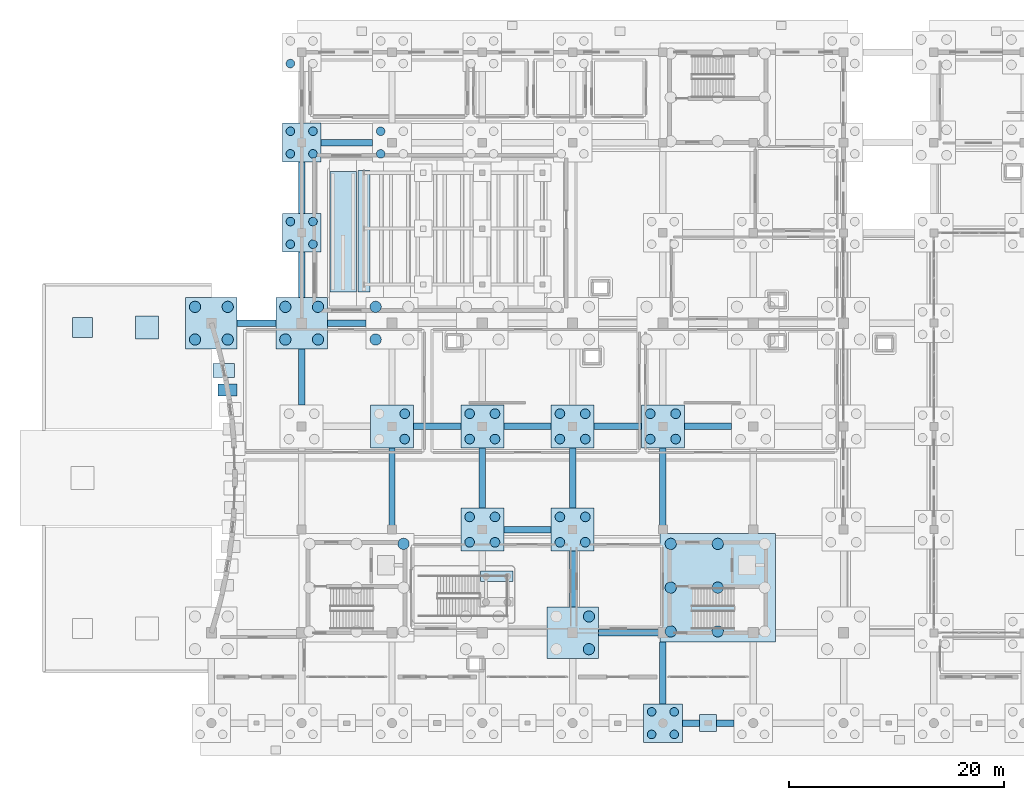
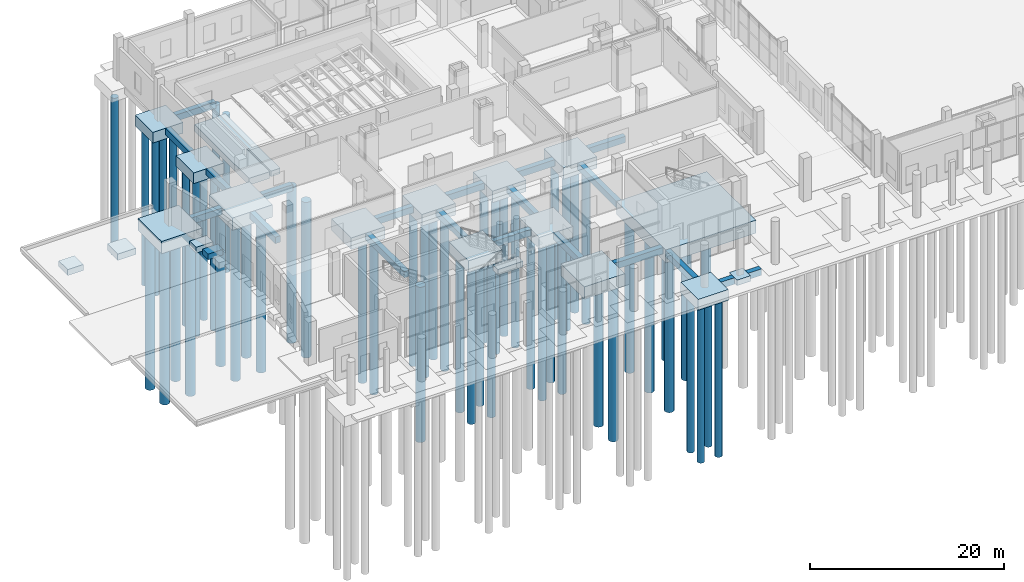
# One storey, part 2 of 65: 56 piles, 40 footings.
"""IFC4 building model written with IfcOpenShell, lengths in metres."""

from ifc_helpers import new_model, si_unit, direction, frame, origin, origin_2d, place, context, subcontext, project, spatial, polyline, circle, outline, extrude, material, layer, layer_set, material_profile, profile_set, type_object, element, save


model = new_model("IFC4")

# Units and contexts
model_context = context("Model", 3, precision=1e-05, world=origin(), true_north=direction((0.0, 1.0)))
body_context = subcontext(model_context, "Body", "Model", "MODEL_VIEW")
ifc_project = project(units=[si_unit("LENGTHUNIT", "METRE"), si_unit("AREAUNIT", "SQUARE_METRE"), si_unit("VOLUMEUNIT", "CUBIC_METRE"), si_unit("PLANEANGLEUNIT", "RADIAN"), si_unit("MASSUNIT", "GRAM", prefix="KILO")], contexts=[model_context])

# Site, building, storey
site_placement = place(None, origin())
site = spatial("IfcSite", under=ifc_project, at=site_placement, CompositionType="ELEMENT")
building_placement = place(site_placement, origin())
building = spatial("IfcBuilding", under=site, at=building_placement, Name="Zulmaris Art Gallery", CompositionType="ELEMENT")
storey_placement = place(building_placement, origin())
storey = spatial("IfcBuildingStorey", under=building, at=storey_placement, Name="L00", CompositionType="ELEMENT", Elevation=0.0)

# Footings
ifc_material = material(Name="Concrete C40/50", Category="concrete")
ifc_layer_1 = layer(ifc_material, 0.800048828125)
ifc_layer_set_1 = layer_set([ifc_layer_1], Name="Concrete C40/50")
footing_type_1 = type_object("IfcFootingType", Name="FTG-GB01", PredefinedType="FOOTING_BEAM", material=ifc_layer_set_1)
footing_1_placement = place(storey_placement, frame((0.0, 0.0, -0.800048828125)))
element("IfcFooting", 1, at=footing_1_placement, inside=storey, type_object=footing_type_1, Name="L00 ground tie beam X", PredefinedType="FOOTING_BEAM", context=body_context, shape_type="SweptSolid", body=[
    extrude(outline(polyline([(67.800048828125, 12.89990234375), (72.60009765625, 12.89990234375), (72.60009765625, 13.5), (67.800048828125, 13.5), (67.800048828125, 12.89990234375)])), origin(), (0.0, 0.0, 1.0), 0.800048828125),
])
footing_2_placement = place(storey_placement, frame((0.0, 0.0, -0.800048828125)))
element("IfcFooting", 2, at=footing_2_placement, inside=storey, type_object=footing_type_1, Name="L00 ground tie beam X", PredefinedType="FOOTING_BEAM", context=body_context, shape_type="SweptSolid", body=[
    extrude(outline(polyline([(60.0, 21.300048828125), (65.75, 21.300048828125), (65.75, 21.89990234375), (60.0, 21.89990234375), (60.0, 21.300048828125)])), origin(), (0.0, 0.0, 1.0), 0.800048828125),
])
footing_3_placement = place(storey_placement, frame((0.0, 0.0, -0.800048828125)))
element("IfcFooting", 3, at=footing_3_placement, inside=storey, type_object=footing_type_1, Name="L00 ground tie beam X", PredefinedType="FOOTING_BEAM", context=body_context, shape_type="SweptSolid", body=[
    extrude(outline(polyline([(51.199951171875, 30.89990234375), (55.60009765625, 30.89990234375), (55.60009765625, 31.5), (51.199951171875, 31.5), (51.199951171875, 30.89990234375)])), origin(), (0.0, 0.0, 1.0), 0.800048828125),
])
footing_4_placement = place(storey_placement, frame((0.0, 0.0, -0.800048828125)))
element("IfcFooting", 4, at=footing_4_placement, inside=storey, type_object=footing_type_1, Name="L00 ground tie beam X", PredefinedType="FOOTING_BEAM", context=body_context, shape_type="SweptSolid", body=[
    extrude(outline(polyline([(42.800048828125, 40.5), (47.199951171875, 40.5), (47.199951171875, 41.10009765625), (42.800048828125, 41.10009765625), (42.800048828125, 40.5)])), origin(), (0.0, 0.0, 1.0), 0.800048828125),
])
footing_5_placement = place(storey_placement, frame((0.0, 0.0, -0.800048828125)))
element("IfcFooting", 5, at=footing_5_placement, inside=storey, type_object=footing_type_1, Name="L00 ground tie beam X", PredefinedType="FOOTING_BEAM", context=body_context, shape_type="SweptSolid", body=[
    extrude(outline(polyline([(51.199951171875, 40.5), (55.60009765625, 40.5), (55.60009765625, 41.10009765625), (51.199951171875, 41.10009765625), (51.199951171875, 40.5)])), origin(), (0.0, 0.0, 1.0), 0.800048828125),
])
footing_6_placement = place(storey_placement, frame((0.0, 0.0, -0.800048828125)))
element("IfcFooting", 6, at=footing_6_placement, inside=storey, type_object=footing_type_1, Name="L00 ground tie beam X", PredefinedType="FOOTING_BEAM", context=body_context, shape_type="SweptSolid", body=[
    extrude(outline(polyline([(59.60009765625, 40.5), (64.0, 40.5), (64.0, 41.10009765625), (59.60009765625, 41.10009765625), (59.60009765625, 40.5)])), origin(), (0.0, 0.0, 1.0), 0.800048828125),
])
footing_7_placement = place(storey_placement, frame((0.0, 0.0, -0.800048828125)))
element("IfcFooting", 7, at=footing_7_placement, inside=storey, type_object=footing_type_1, Name="L00 ground tie beam X", PredefinedType="FOOTING_BEAM", context=body_context, shape_type="SweptSolid", body=[
    extrude(outline(polyline([(68.0, 40.5), (72.39990234375, 40.5), (72.39990234375, 41.10009765625), (68.0, 41.10009765625), (68.0, 40.5)])), origin(), (0.0, 0.0, 1.0), 0.800048828125),
])
footing_8_placement = place(storey_placement, frame((0.0, 0.0, -0.800048828125)))
element("IfcFooting", 8, at=footing_8_placement, inside=storey, type_object=footing_type_1, Name="L00 ground tie beam X", PredefinedType="FOOTING_BEAM", context=body_context, shape_type="SweptSolid", body=[
    extrude(outline(polyline([(26.39990234375, 50.10009765625), (30.0, 50.10009765625), (30.0, 50.699951171875), (26.39990234375, 50.699951171875), (26.39990234375, 50.10009765625)])), origin(), (0.0, 0.0, 1.0), 0.800048828125),
])
footing_9_placement = place(storey_placement, frame((0.0, 0.0, -0.800048828125)))
element("IfcFooting", 9, at=footing_9_placement, inside=storey, type_object=footing_type_1, Name="L00 ground tie beam X", PredefinedType="FOOTING_BEAM", context=body_context, shape_type="SweptSolid", body=[
    extrude(outline(polyline([(34.800048828125, 50.10009765625), (38.39990234375, 50.10009765625), (38.39990234375, 50.699951171875), (34.800048828125, 50.699951171875), (34.800048828125, 50.10009765625)])), origin(), (0.0, 0.0, 1.0), 0.800048828125),
])
footing_10_placement = place(storey_placement, frame((0.0, 0.0, -0.800048828125)))
element("IfcFooting", 10, at=footing_10_placement, inside=storey, type_object=footing_type_1, Name="L00 ground tie beam X", PredefinedType="FOOTING_BEAM", context=body_context, shape_type="SweptSolid", body=[
    extrude(outline(polyline([(34.199951171875, 66.89990234375), (39.0, 66.89990234375), (39.0, 67.5), (34.199951171875, 67.5), (34.199951171875, 66.89990234375)])), origin(), (0.0, 0.0, 1.0), 0.800048828125),
])
footing_11_placement = place(storey_placement, frame((0.0, 0.0, -0.800048828125)))
element("IfcFooting", 11, at=footing_11_placement, inside=storey, type_object=footing_type_1, Name="L00 ground tie beam Y", PredefinedType="FOOTING_BEAM", context=body_context, shape_type="SweptSolid", body=[
    extrude(outline(polyline([(32.10009765625, 42.800048828125), (32.699951171875, 42.800048828125), (32.699951171875, 48.0), (32.10009765625, 48.0), (32.10009765625, 42.800048828125)])), origin(), (0.0, 0.0, 1.0), 0.800048828125),
])
footing_12_placement = place(storey_placement, frame((0.0, 0.0, -0.800048828125)))
element("IfcFooting", 12, at=footing_12_placement, inside=storey, type_object=footing_type_1, Name="L00 ground tie beam Y", PredefinedType="FOOTING_BEAM", context=body_context, shape_type="SweptSolid", body=[
    extrude(outline(polyline([(32.10009765625, 52.800048828125), (32.699951171875, 52.800048828125), (32.699951171875, 57.0), (32.10009765625, 57.0), (32.10009765625, 52.800048828125)])), origin(), (0.0, 0.0, 1.0), 0.800048828125),
])
footing_13_placement = place(storey_placement, frame((0.0, 0.0, -0.800048828125)))
element("IfcFooting", 13, at=footing_13_placement, inside=storey, type_object=footing_type_1, Name="L00 ground tie beam Y", PredefinedType="FOOTING_BEAM", context=body_context, shape_type="SweptSolid", body=[
    extrude(outline(polyline([(32.10009765625, 60.60009765625), (32.699951171875, 60.60009765625), (32.699951171875, 65.39990234375), (32.10009765625, 65.39990234375), (32.10009765625, 60.60009765625)])), origin(), (0.0, 0.0, 1.0), 0.800048828125),
])
footing_14_placement = place(storey_placement, frame((0.0, 0.0, -0.800048828125)))
element("IfcFooting", 14, at=footing_14_placement, inside=storey, type_object=footing_type_1, Name="L00 ground tie beam Y", PredefinedType="FOOTING_BEAM", context=body_context, shape_type="SweptSolid", body=[
    extrude(outline(polyline([(40.5, 30.85009765625), (41.10009765625, 30.85009765625), (41.10009765625, 38.800048828125), (40.5, 38.800048828125), (40.5, 30.85009765625)])), origin(), (0.0, 0.0, 1.0), 0.800048828125),
])
footing_15_placement = place(storey_placement, frame((0.0, 0.0, -0.800048828125)))
element("IfcFooting", 15, at=footing_15_placement, inside=storey, type_object=footing_type_1, Name="L00 ground tie beam Y", PredefinedType="FOOTING_BEAM", context=body_context, shape_type="SweptSolid", body=[
    extrude(outline(polyline([(48.89990234375, 33.199951171875), (49.5, 33.199951171875), (49.5, 38.800048828125), (48.89990234375, 38.800048828125), (48.89990234375, 33.199951171875)])), origin(), (0.0, 0.0, 1.0), 0.800048828125),
])
footing_16_placement = place(storey_placement, frame((0.0, 0.0, -0.800048828125)))
element("IfcFooting", 16, at=footing_16_placement, inside=storey, type_object=footing_type_1, Name="L00 ground tie beam Y", PredefinedType="FOOTING_BEAM", context=body_context, shape_type="SweptSolid", body=[
    extrude(outline(polyline([(57.300048828125, 24.0), (57.89990234375, 24.0), (57.89990234375, 29.199951171875), (57.300048828125, 29.199951171875), (57.300048828125, 24.0)])), origin(), (0.0, 0.0, 1.0), 0.800048828125),
])
footing_17_placement = place(storey_placement, frame((0.0, 0.0, -0.800048828125)))
element("IfcFooting", 17, at=footing_17_placement, inside=storey, type_object=footing_type_1, Name="L00 ground tie beam Y", PredefinedType="FOOTING_BEAM", context=body_context, shape_type="SweptSolid", body=[
    extrude(outline(polyline([(57.300048828125, 33.199951171875), (57.89990234375, 33.199951171875), (57.89990234375, 38.800048828125), (57.300048828125, 38.800048828125), (57.300048828125, 33.199951171875)])), origin(), (0.0, 0.0, 1.0), 0.800048828125),
])
footing_18_placement = place(storey_placement, frame((0.0, 0.0, -0.800048828125)))
element("IfcFooting", 18, at=footing_18_placement, inside=storey, type_object=footing_type_1, Name="L00 ground tie beam Y", PredefinedType="FOOTING_BEAM", context=body_context, shape_type="SweptSolid", body=[
    extrude(outline(polyline([(65.699951171875, 15.0), (66.300048828125, 15.0), (66.300048828125, 20.75), (65.699951171875, 20.75), (65.699951171875, 15.0)])), origin(), (0.0, 0.0, 1.0), 0.800048828125),
])
footing_19_placement = place(storey_placement, frame((0.0, 0.0, -0.800048828125)))
element("IfcFooting", 19, at=footing_19_placement, inside=storey, type_object=footing_type_1, Name="L00 ground tie beam Y", PredefinedType="FOOTING_BEAM", context=body_context, shape_type="SweptSolid", body=[
    extrude(outline(polyline([(65.699951171875, 30.85009765625), (66.300048828125, 30.85009765625), (66.300048828125, 38.800048828125), (65.699951171875, 38.800048828125), (65.699951171875, 30.85009765625)])), origin(), (0.0, 0.0, 1.0), 0.800048828125),
])
ifc_layer_2 = layer(ifc_material, 1.6298828125)
ifc_layer_set_2 = layer_set([ifc_layer_2], Name="Concrete C40/50")
footing_type_2 = type_object("IfcFootingType", Name="FTG-MAT-C2", PredefinedType="PILE_CAP", material=ifc_layer_set_2)
footing_20_placement = place(storey_placement, frame((0.0, 0.0, -1.6298828125)))
element("IfcFooting", 20, at=footing_20_placement, inside=storey, type_object=footing_type_2, Name="Core C2 pile cap", PredefinedType="PILE_CAP", context=body_context, shape_type="SweptSolid", body=[
    extrude(outline(polyline([(65.75, 20.75), (76.449951171875, 20.75), (76.449951171875, 30.85009765625), (65.75, 30.85009765625), (65.75, 20.75)])), origin(), (0.0, 0.0, 1.0), 1.6298828125),
])
ifc_layer_3 = layer(ifc_material, 0.699951171875)
ifc_layer_set_3 = layer_set([ifc_layer_3], Name="Concrete C40/50")
footing_type_3 = type_object("IfcFootingType", Name="FTG-PAD01", PredefinedType="PAD_FOOTING", material=ifc_layer_set_3)
footing_21_placement = place(storey_placement, frame((0.0, 0.0, -0.699951171875)))
element("IfcFooting", 21, at=footing_21_placement, inside=storey, type_object=footing_type_3, Name="Colonnade pilaster footing 6", PredefinedType="PAD_FOOTING", context=body_context, shape_type="SweptSolid", body=[
    extrude(outline(polyline([(69.39990234375, 12.39990234375), (71.0, 12.39990234375), (71.0, 14.0), (69.39990234375, 14.0), (69.39990234375, 12.39990234375)])), origin(), (0.0, 0.0, 1.0), 0.699951171875),
])
footing_22_placement = place(storey_placement, frame((0.0, 0.0, -0.699951171875)))
element("IfcFooting", 22, at=footing_22_placement, inside=storey, type_object=footing_type_3, Name="Grand stair ST6 landing combined pad footing 2", PredefinedType="PAD_FOOTING", context=body_context, shape_type="SweptSolid", body=[
    extrude(outline(polyline([(49.050048828125, 26.35009765625), (52.050048828125, 26.35009765625), (52.050048828125, 27.35009765625), (49.050048828125, 27.35009765625), (49.050048828125, 26.35009765625)])), origin(), (0.0, 0.0, 1.0), 0.699951171875),
])
ifc_layer_4 = layer(ifc_material, 0.75)
ifc_layer_set_4 = layer_set([ifc_layer_4], Name="Concrete C40/50")
footing_type_4 = type_object("IfcFootingType", Name="FTG-PAD02", PredefinedType="PAD_FOOTING", material=ifc_layer_set_4)
footing_23_placement = place(storey_placement, frame((0.0, 0.0, -1.25)))
element("IfcFooting", 23, at=footing_23_placement, inside=storey, type_object=footing_type_4, Name="Sculpture plinth pad footing 3", PredefinedType="PAD_FOOTING", context=body_context, shape_type="SweptSolid", body=[
    extrude(outline(polyline([(11.074951171875, 49.074951171875), (12.925048828125, 49.074951171875), (12.925048828125, 50.925048828125), (11.074951171875, 50.925048828125), (11.074951171875, 49.074951171875)])), origin(), (0.0, 0.0, 1.0), 0.75),
])
ifc_layer_5 = layer(ifc_material, 0.800048828125)
ifc_layer_set_5 = layer_set([ifc_layer_5], Name="Concrete C40/50")
footing_type_5 = type_object("IfcFootingType", Name="FTG-PAD03", PredefinedType="PAD_FOOTING", material=ifc_layer_set_5)
footing_24_placement = place(storey_placement, frame((0.0, 0.0, -1.300048828125)))
element("IfcFooting", 24, at=footing_24_placement, inside=storey, type_object=footing_type_5, Name="Sculpture plinth pad footing 5", PredefinedType="PAD_FOOTING", context=body_context, shape_type="SweptSolid", body=[
    extrude(outline(polyline([(16.925048828125, 48.925048828125), (19.074951171875, 48.925048828125), (19.074951171875, 51.074951171875), (16.925048828125, 51.074951171875), (16.925048828125, 48.925048828125)])), origin(), (0.0, 0.0, 1.0), 0.800048828125),
])
ifc_layer_6 = layer(ifc_material, 0.85009765625)
ifc_layer_set_6 = layer_set([ifc_layer_6], Name="Concrete C40/50")
footing_type_6 = type_object("IfcFootingType", Name="FTG-PAD04", PredefinedType="PAD_FOOTING", material=ifc_layer_set_6)
footing_25_placement = place(storey_placement, frame((0.0, 0.0, -0.85009765625)))
element("IfcFooting", 25, at=footing_25_placement, inside=storey, type_object=footing_type_6, Name="Auditorium tier 1 foundation pad", PredefinedType="PAD_FOOTING", context=body_context, shape_type="SweptSolid", body=[
    extrude(outline(polyline([(35.050048828125, 53.300048828125), (37.5, 53.300048828125), (37.5, 64.5), (35.050048828125, 64.5), (35.050048828125, 53.300048828125)])), origin(), (0.0, 0.0, 1.0), 0.85009765625),
])
ifc_layer_7 = layer(ifc_material, 1.35009765625)
ifc_layer_set_7 = layer_set([ifc_layer_7], Name="Concrete C40/50")
footing_type_7 = type_object("IfcFootingType", Name="FTG-PC01", PredefinedType="PILE_CAP", material=ifc_layer_set_7)
footing_26_placement = place(storey_placement, frame((0.0, 0.0, -1.35009765625)))
element("IfcFooting", 26, at=footing_26_placement, inside=storey, type_object=footing_type_7, Name="L00 pile cap PC01 at (32.4, 58.8)", PredefinedType="PILE_CAP", context=body_context, shape_type="SweptSolid", body=[
    extrude(outline(polyline([(30.60009765625, 57.0), (34.199951171875, 57.0), (34.199951171875, 60.60009765625), (30.60009765625, 60.60009765625), (30.60009765625, 57.0)])), origin(), (0.0, 0.0, 1.0), 1.35009765625),
])
footing_27_placement = place(storey_placement, frame((0.0, 0.0, -1.35009765625)))
element("IfcFooting", 27, at=footing_27_placement, inside=storey, type_object=footing_type_7, Name="L00 pile cap PC01 at (32.4, 67.2)", PredefinedType="PILE_CAP", context=body_context, shape_type="SweptSolid", body=[
    extrude(outline(polyline([(30.60009765625, 65.39990234375), (34.199951171875, 65.39990234375), (34.199951171875, 69.0), (30.60009765625, 69.0), (30.60009765625, 65.39990234375)])), origin(), (0.0, 0.0, 1.0), 1.35009765625),
])
footing_28_placement = place(storey_placement, frame((0.0, 0.0, -1.35009765625)))
element("IfcFooting", 28, at=footing_28_placement, inside=storey, type_object=footing_type_7, Name="L00 pile cap PC01 at (66.0, 13.2)", PredefinedType="PILE_CAP", context=body_context, shape_type="SweptSolid", body=[
    extrude(outline(polyline([(64.199951171875, 11.39990234375), (67.800048828125, 11.39990234375), (67.800048828125, 15.0), (64.199951171875, 15.0), (64.199951171875, 11.39990234375)])), origin(), (0.0, 0.0, 1.0), 1.35009765625),
])
ifc_layer_8 = layer(ifc_material, 1.449951171875)
ifc_layer_set_8 = layer_set([ifc_layer_8], Name="Concrete C40/50")
footing_type_8 = type_object("IfcFootingType", Name="FTG-PC02", PredefinedType="PILE_CAP", material=ifc_layer_set_8)
footing_29_placement = place(storey_placement, frame((0.0, 0.0, -1.449951171875)))
element("IfcFooting", 29, at=footing_29_placement, inside=storey, type_object=footing_type_8, Name="L00 pile cap PC02 at (40.8, 40.8)", PredefinedType="PILE_CAP", context=body_context, shape_type="SweptSolid", body=[
    extrude(outline(polyline([(38.800048828125, 38.800048828125), (42.800048828125, 38.800048828125), (42.800048828125, 42.800048828125), (38.800048828125, 42.800048828125), (38.800048828125, 38.800048828125)])), origin(), (0.0, 0.0, 1.0), 1.449951171875),
])
footing_30_placement = place(storey_placement, frame((0.0, 0.0, -1.449951171875)))
element("IfcFooting", 30, at=footing_30_placement, inside=storey, type_object=footing_type_8, Name="L00 pile cap PC02 at (49.2, 31.2)", PredefinedType="PILE_CAP", context=body_context, shape_type="SweptSolid", body=[
    extrude(outline(polyline([(47.199951171875, 29.199951171875), (51.199951171875, 29.199951171875), (51.199951171875, 33.199951171875), (47.199951171875, 33.199951171875), (47.199951171875, 29.199951171875)])), origin(), (0.0, 0.0, 1.0), 1.449951171875),
])
footing_31_placement = place(storey_placement, frame((0.0, 0.0, -1.449951171875)))
element("IfcFooting", 31, at=footing_31_placement, inside=storey, type_object=footing_type_8, Name="L00 pile cap PC02 at (49.2, 40.8)", PredefinedType="PILE_CAP", context=body_context, shape_type="SweptSolid", body=[
    extrude(outline(polyline([(47.199951171875, 38.800048828125), (51.199951171875, 38.800048828125), (51.199951171875, 42.800048828125), (47.199951171875, 42.800048828125), (47.199951171875, 38.800048828125)])), origin(), (0.0, 0.0, 1.0), 1.449951171875),
])
footing_32_placement = place(storey_placement, frame((0.0, 0.0, -1.449951171875)))
element("IfcFooting", 32, at=footing_32_placement, inside=storey, type_object=footing_type_8, Name="L00 pile cap PC02 at (57.6, 31.2)", PredefinedType="PILE_CAP", context=body_context, shape_type="SweptSolid", body=[
    extrude(outline(polyline([(55.60009765625, 29.199951171875), (59.60009765625, 29.199951171875), (59.60009765625, 33.199951171875), (55.60009765625, 33.199951171875), (55.60009765625, 29.199951171875)])), origin(), (0.0, 0.0, 1.0), 1.449951171875),
])
footing_33_placement = place(storey_placement, frame((0.0, 0.0, -1.449951171875)))
element("IfcFooting", 33, at=footing_33_placement, inside=storey, type_object=footing_type_8, Name="L00 pile cap PC02 at (57.6, 40.8)", PredefinedType="PILE_CAP", context=body_context, shape_type="SweptSolid", body=[
    extrude(outline(polyline([(55.60009765625, 38.800048828125), (59.60009765625, 38.800048828125), (59.60009765625, 42.800048828125), (55.60009765625, 42.800048828125), (55.60009765625, 38.800048828125)])), origin(), (0.0, 0.0, 1.0), 1.449951171875),
])
footing_34_placement = place(storey_placement, frame((0.0, 0.0, -1.449951171875)))
element("IfcFooting", 34, at=footing_34_placement, inside=storey, type_object=footing_type_8, Name="L00 pile cap PC02 at (66.0, 40.8)", PredefinedType="PILE_CAP", context=body_context, shape_type="SweptSolid", body=[
    extrude(outline(polyline([(64.0, 38.800048828125), (68.0, 38.800048828125), (68.0, 42.800048828125), (64.0, 42.800048828125), (64.0, 38.800048828125)])), origin(), (0.0, 0.0, 1.0), 1.449951171875),
])
ifc_layer_9 = layer(ifc_material, 1.550048828125)
ifc_layer_set_9 = layer_set([ifc_layer_9], Name="Concrete C40/50")
footing_type_9 = type_object("IfcFootingType", Name="FTG-PC03", PredefinedType="PILE_CAP", material=ifc_layer_set_9)
footing_35_placement = place(storey_placement, frame((0.0, 0.0, -1.550048828125)))
element("IfcFooting", 35, at=footing_35_placement, inside=storey, type_object=footing_type_9, Name="L00 pile cap PC03 at (24.0, 50.4)", PredefinedType="PILE_CAP", context=body_context, shape_type="SweptSolid", body=[
    extrude(outline(polyline([(21.60009765625, 48.0), (26.39990234375, 48.0), (26.39990234375, 52.800048828125), (21.60009765625, 52.800048828125), (21.60009765625, 48.0)])), origin(), (0.0, 0.0, 1.0), 1.550048828125),
])
footing_36_placement = place(storey_placement, frame((0.0, 0.0, -1.550048828125)))
element("IfcFooting", 36, at=footing_36_placement, inside=storey, type_object=footing_type_9, Name="L00 pile cap PC03 at (32.4, 50.4)", PredefinedType="PILE_CAP", context=body_context, shape_type="SweptSolid", body=[
    extrude(outline(polyline([(30.0, 48.0), (34.800048828125, 48.0), (34.800048828125, 52.800048828125), (30.0, 52.800048828125), (30.0, 48.0)])), origin(), (0.0, 0.0, 1.0), 1.550048828125),
])
footing_37_placement = place(storey_placement, frame((0.0, 0.0, -1.550048828125)))
element("IfcFooting", 37, at=footing_37_placement, inside=storey, type_object=footing_type_9, Name="L00 pile cap PC03 at (57.6, 21.6)", PredefinedType="PILE_CAP", context=body_context, shape_type="SweptSolid", body=[
    extrude(outline(polyline([(55.199951171875, 19.199951171875), (60.0, 19.199951171875), (60.0, 24.0), (55.199951171875, 24.0), (55.199951171875, 19.199951171875)])), origin(), (0.0, 0.0, 1.0), 1.550048828125),
])
ifc_layer_10 = layer(ifc_material, 0.699951171875)
ifc_layer_set_10 = layer_set([ifc_layer_10], Name="Concrete C40/50")
footing_type_10 = type_object("IfcFootingType", Name="FTG-STR01", PredefinedType="STRIP_FOOTING", material=ifc_layer_set_10)
footing_38_placement = place(storey_placement, frame((0.0, 0.0, -0.699951171875)))
element("IfcFooting", 38, at=footing_38_placement, inside=storey, type_object=footing_type_10, Name="Scooped plinth strip footing 12", PredefinedType="STRIP_FOOTING", context=body_context, shape_type="SweptSolid", body=[
    extrude(outline(polyline([(24.59912109375, 43.635009765625), (26.399169921875, 43.635009765625), (26.399169921875, 44.735107421875), (24.59912109375, 44.735107421875), (24.59912109375, 43.635009765625)])), origin(), (0.0, 0.0, 1.0), 0.699951171875),
])
footing_39_placement = place(storey_placement, frame((0.0, 0.0, -0.699951171875)))
element("IfcFooting", 39, at=footing_39_placement, inside=storey, type_object=footing_type_10, Name="Auditorium front raker bearing strip footing", PredefinedType="STRIP_FOOTING", context=body_context, shape_type="SweptSolid", body=[
    extrude(outline(polyline([(37.64990234375, 53.300048828125), (38.75, 53.300048828125), (38.75, 64.60009765625), (37.64990234375, 64.60009765625), (37.64990234375, 53.300048828125)])), origin(), (0.0, 0.0, 1.0), 0.699951171875),
])
ifc_layer_11 = layer(ifc_material, 0.75)
ifc_layer_set_11 = layer_set([ifc_layer_11], Name="Concrete C40/50")
footing_type_11 = type_object("IfcFootingType", Name="FTG-STR02", PredefinedType="STRIP_FOOTING", material=ifc_layer_set_11)
footing_40_placement = place(storey_placement, frame((0.0, 0.0, -0.75)))
element("IfcFooting", 40, at=footing_40_placement, inside=storey, type_object=footing_type_11, Name="Scooped plinth strip footing 13", PredefinedType="STRIP_FOOTING", context=body_context, shape_type="SweptSolid", body=[
    extrude(outline(polyline([(24.1533203125, 45.32958984375), (26.1533203125, 45.32958984375), (26.1533203125, 46.629638671875), (24.1533203125, 46.629638671875), (24.1533203125, 45.32958984375)])), origin(), (0.0, 0.0, 1.0), 0.75),
])

# Piles
ifc_material_profile_1 = material_profile(ifc_material, circle(Radius=0.52490234375, at=origin_2d()), Name="PILE DIA 1050")
ifc_profile_set_1 = profile_set([ifc_material_profile_1], Name="Concrete C40/50")
pile_type_1 = type_object("IfcPileType", Name="PILE-1050", PredefinedType="BORED", material=ifc_profile_set_1)
pile_placement = place(storey_placement, frame((41.875, 29.875, -1.489990234375), z_axis=(0.0, 0.0, -1.0), x_axis=(1.0, 0.0, 0.0)))
element("IfcPile", 41, at=pile_placement, inside=storey, type_object=pile_type_1, Name="Core C1 bored pile 9", PredefinedType="BORED", context=body_context, shape_type="SweptSolid", body=[
    extrude(circle(Radius=0.52490234375, at=origin_2d()), origin(), (0.0, 0.0, 1.0), 19.510009765625),
])
for number, where, z_axis, x_axis, name in (
    (42, (66.72509765625, 21.72509765625, -1.530029296875), (0.0, 0.0, -1.0), (1.0, 0.0, 0.0), "Core C2 bored pile 1"),
    (43, (66.72509765625, 25.800048828125, -1.530029296875), (0.0, 0.0, -1.0), (1.0, 0.0, 0.0), "Core C2 bored pile 2"),
    (44, (66.72509765625, 29.875, -1.530029296875), (0.0, 0.0, -1.0), (1.0, 0.0, 0.0), "Core C2 bored pile 3"),
    (45, (71.10009765625, 21.72509765625, -1.530029296875), (0.0, 0.0, -1.0), (1.0, 0.0, 0.0), "Core C2 bored pile 4"),
    (46, (71.10009765625, 25.800048828125, -1.530029296875), (0.0, 0.0, -1.0), (1.0, 0.0, 0.0), "Core C2 bored pile 5"),
    (47, (71.10009765625, 29.875, -1.530029296875), (0.0, 0.0, -1.0), (1.0, 0.0, 0.0), "Core C2 bored pile 6"),
):
    element("IfcPile", number, at=place(storey_placement, frame(where, z_axis=z_axis, x_axis=x_axis)), inside=storey, type_object=pile_type_1, Name=name, PredefinedType="BORED", context=body_context, shape_type="SweptSolid", body=[
        extrude(circle(Radius=0.52490234375, at=origin_2d()), origin(), (0.0, 0.0, 1.0), 19.469970703125),
    ])
for number, where, z_axis, x_axis, name in (
    (48, (22.47998046875, 48.8798828125, -1.449951171875), (0.0, 0.0, -1.0), (1.0, 0.0, 0.0), "L00 bored pile 1 under FTG-CAP-L00-0240-504"),
    (49, (25.52001953125, 48.8798828125, -1.449951171875), (0.0, 0.0, -1.0), (1.0, 0.0, 0.0), "L00 bored pile 2 under FTG-CAP-L00-0240-504"),
    (50, (22.47998046875, 51.919921875, -1.449951171875), (0.0, 0.0, -1.0), (1.0, 0.0, 0.0), "L00 bored pile 3 under FTG-CAP-L00-0240-504"),
    (51, (25.52001953125, 51.919921875, -1.449951171875), (0.0, 0.0, -1.0), (1.0, 0.0, 0.0), "L00 bored pile 4 under FTG-CAP-L00-0240-504"),
    (52, (30.8798828125, 48.8798828125, -1.449951171875), (0.0, 0.0, -1.0), (1.0, 0.0, 0.0), "L00 bored pile 1 under FTG-CAP-L00-0324-504"),
    (53, (33.919921875, 48.8798828125, -1.449951171875), (0.0, 0.0, -1.0), (1.0, 0.0, 0.0), "L00 bored pile 2 under FTG-CAP-L00-0324-504"),
    (54, (30.8798828125, 51.919921875, -1.449951171875), (0.0, 0.0, -1.0), (1.0, 0.0, 0.0), "L00 bored pile 3 under FTG-CAP-L00-0324-504"),
    (55, (33.919921875, 51.919921875, -1.449951171875), (0.0, 0.0, -1.0), (1.0, 0.0, 0.0), "L00 bored pile 4 under FTG-CAP-L00-0324-504"),
    (56, (39.280029296875, 48.8798828125, -1.449951171875), (0.0, 0.0, -1.0), (1.0, 0.0, 0.0), "L00 bored pile 1 under FTG-CAP-L00-0408-504"),
    (57, (39.280029296875, 51.919921875, -1.449951171875), (0.0, 0.0, -1.0), (1.0, 0.0, 0.0), "L00 bored pile 3 under FTG-CAP-L00-0408-504"),
    (58, (59.1201171875, 20.080078125, -1.449951171875), (0.0, 0.0, -1.0), (1.0, 0.0, 0.0), "L00 bored pile 2 under FTG-CAP-L00-0576-216"),
    (59, (59.1201171875, 23.1201171875, -1.449951171875), (0.0, 0.0, -1.0), (1.0, 0.0, 0.0), "L00 bored pile 4 under FTG-CAP-L00-0576-216"),
):
    element("IfcPile", number, at=place(storey_placement, frame(where, z_axis=z_axis, x_axis=x_axis)), inside=storey, type_object=pile_type_1, Name=name, PredefinedType="BORED", context=body_context, shape_type="SweptSolid", body=[
        extrude(circle(Radius=0.52490234375, at=origin_2d()), origin(), (0.0, 0.0, 1.0), 19.550048828125),
    ])
ifc_material_profile_2 = material_profile(ifc_material, circle(Radius=0.39990234375, at=origin_2d()), Name="PILE DIA 800")
ifc_profile_set_2 = profile_set([ifc_material_profile_2], Name="Concrete C40/50")
pile_type_2 = type_object("IfcPileType", Name="PILE-800", PredefinedType="BORED", material=ifc_profile_set_2)
for number, where, z_axis, x_axis, name in (
    (60, (31.35009765625, 57.75, -1.25), (0.0, 0.0, -1.0), (1.0, 0.0, 0.0), "L00 bored pile 1 under FTG-CAP-L00-0324-588"),
    (61, (33.449951171875, 57.75, -1.25), (0.0, 0.0, -1.0), (1.0, 0.0, 0.0), "L00 bored pile 2 under FTG-CAP-L00-0324-588"),
    (62, (31.35009765625, 59.85009765625, -1.25), (0.0, 0.0, -1.0), (1.0, 0.0, 0.0), "L00 bored pile 3 under FTG-CAP-L00-0324-588"),
    (63, (33.449951171875, 59.85009765625, -1.25), (0.0, 0.0, -1.0), (1.0, 0.0, 0.0), "L00 bored pile 4 under FTG-CAP-L00-0324-588"),
    (64, (31.35009765625, 66.14990234375, -1.25), (0.0, 0.0, -1.0), (1.0, 0.0, 0.0), "L00 bored pile 1 under FTG-CAP-L00-0324-672"),
    (65, (33.449951171875, 66.14990234375, -1.25), (0.0, 0.0, -1.0), (1.0, 0.0, 0.0), "L00 bored pile 2 under FTG-CAP-L00-0324-672"),
    (66, (31.35009765625, 68.25, -1.25), (0.0, 0.0, -1.0), (1.0, 0.0, 0.0), "L00 bored pile 3 under FTG-CAP-L00-0324-672"),
    (67, (33.449951171875, 68.25, -1.25), (0.0, 0.0, -1.0), (1.0, 0.0, 0.0), "L00 bored pile 4 under FTG-CAP-L00-0324-672"),
    (68, (31.35009765625, 74.550048828125, -1.25), (0.0, 0.0, -1.0), (1.0, 0.0, 0.0), "L00 bored pile 1 under FTG-CAP-L00-0324-756"),
    (69, (39.75, 66.14990234375, -1.25), (0.0, 0.0, -1.0), (1.0, 0.0, 0.0), "L00 bored pile 1 under FTG-CAP-L00-0408-672"),
    (70, (39.75, 68.25, -1.25), (0.0, 0.0, -1.0), (1.0, 0.0, 0.0), "L00 bored pile 3 under FTG-CAP-L00-0408-672"),
    (71, (64.949951171875, 12.14990234375, -1.25), (0.0, 0.0, -1.0), (1.0, 0.0, 0.0), "L00 bored pile 1 under FTG-CAP-L00-0660-132"),
    (72, (67.050048828125, 12.14990234375, -1.25), (0.0, 0.0, -1.0), (1.0, 0.0, 0.0), "L00 bored pile 2 under FTG-CAP-L00-0660-132"),
    (73, (64.949951171875, 14.25, -1.25), (0.0, 0.0, -1.0), (1.0, 0.0, 0.0), "L00 bored pile 3 under FTG-CAP-L00-0660-132"),
    (74, (67.050048828125, 14.25, -1.25), (0.0, 0.0, -1.0), (1.0, 0.0, 0.0), "L00 bored pile 4 under FTG-CAP-L00-0660-132"),
):
    element("IfcPile", number, at=place(storey_placement, frame(where, z_axis=z_axis, x_axis=x_axis)), inside=storey, type_object=pile_type_2, Name=name, PredefinedType="BORED", context=body_context, shape_type="SweptSolid", body=[
        extrude(circle(Radius=0.39990234375, at=origin_2d()), origin(), (0.0, 0.0, 1.0), 19.75),
    ])
ifc_material_profile_3 = material_profile(ifc_material, circle(Radius=0.449951171875, at=origin_2d()), Name="PILE DIA 900")
ifc_profile_set_3 = profile_set([ifc_material_profile_3], Name="Concrete C40/50")
pile_type_3 = type_object("IfcPileType", Name="PILE-900", PredefinedType="BORED", material=ifc_profile_set_3)
for number, where, z_axis, x_axis, name in (
    (75, (41.97998046875, 39.6201171875, -1.35009765625), (0.0, 0.0, -1.0), (1.0, 0.0, 0.0), "L00 bored pile 2 under FTG-CAP-L00-0408-408"),
    (76, (41.97998046875, 41.97998046875, -1.35009765625), (0.0, 0.0, -1.0), (1.0, 0.0, 0.0), "L00 bored pile 4 under FTG-CAP-L00-0408-408"),
    (77, (48.02001953125, 30.02001953125, -1.35009765625), (0.0, 0.0, -1.0), (1.0, 0.0, 0.0), "L00 bored pile 1 under FTG-CAP-L00-0492-312"),
    (78, (50.3798828125, 30.02001953125, -1.35009765625), (0.0, 0.0, -1.0), (1.0, 0.0, 0.0), "L00 bored pile 2 under FTG-CAP-L00-0492-312"),
    (79, (48.02001953125, 32.3798828125, -1.35009765625), (0.0, 0.0, -1.0), (1.0, 0.0, 0.0), "L00 bored pile 3 under FTG-CAP-L00-0492-312"),
    (80, (50.3798828125, 32.3798828125, -1.35009765625), (0.0, 0.0, -1.0), (1.0, 0.0, 0.0), "L00 bored pile 4 under FTG-CAP-L00-0492-312"),
    (81, (48.02001953125, 39.6201171875, -1.35009765625), (0.0, 0.0, -1.0), (1.0, 0.0, 0.0), "L00 bored pile 1 under FTG-CAP-L00-0492-408"),
    (82, (50.3798828125, 39.6201171875, -1.35009765625), (0.0, 0.0, -1.0), (1.0, 0.0, 0.0), "L00 bored pile 2 under FTG-CAP-L00-0492-408"),
    (83, (48.02001953125, 41.97998046875, -1.35009765625), (0.0, 0.0, -1.0), (1.0, 0.0, 0.0), "L00 bored pile 3 under FTG-CAP-L00-0492-408"),
    (84, (50.3798828125, 41.97998046875, -1.35009765625), (0.0, 0.0, -1.0), (1.0, 0.0, 0.0), "L00 bored pile 4 under FTG-CAP-L00-0492-408"),
    (85, (56.419921875, 30.02001953125, -1.35009765625), (0.0, 0.0, -1.0), (1.0, 0.0, 0.0), "L00 bored pile 1 under FTG-CAP-L00-0576-312"),
    (86, (58.780029296875, 30.02001953125, -1.35009765625), (0.0, 0.0, -1.0), (1.0, 0.0, 0.0), "L00 bored pile 2 under FTG-CAP-L00-0576-312"),
    (87, (56.419921875, 32.3798828125, -1.35009765625), (0.0, 0.0, -1.0), (1.0, 0.0, 0.0), "L00 bored pile 3 under FTG-CAP-L00-0576-312"),
    (88, (58.780029296875, 32.3798828125, -1.35009765625), (0.0, 0.0, -1.0), (1.0, 0.0, 0.0), "L00 bored pile 4 under FTG-CAP-L00-0576-312"),
    (89, (56.419921875, 39.6201171875, -1.35009765625), (0.0, 0.0, -1.0), (1.0, 0.0, 0.0), "L00 bored pile 1 under FTG-CAP-L00-0576-408"),
    (90, (58.780029296875, 39.6201171875, -1.35009765625), (0.0, 0.0, -1.0), (1.0, 0.0, 0.0), "L00 bored pile 2 under FTG-CAP-L00-0576-408"),
    (91, (56.419921875, 41.97998046875, -1.35009765625), (0.0, 0.0, -1.0), (1.0, 0.0, 0.0), "L00 bored pile 3 under FTG-CAP-L00-0576-408"),
    (92, (58.780029296875, 41.97998046875, -1.35009765625), (0.0, 0.0, -1.0), (1.0, 0.0, 0.0), "L00 bored pile 4 under FTG-CAP-L00-0576-408"),
    (93, (64.820068359375, 39.6201171875, -1.35009765625), (0.0, 0.0, -1.0), (1.0, 0.0, 0.0), "L00 bored pile 1 under FTG-CAP-L00-0660-408"),
    (94, (67.179931640625, 39.6201171875, -1.35009765625), (0.0, 0.0, -1.0), (1.0, 0.0, 0.0), "L00 bored pile 2 under FTG-CAP-L00-0660-408"),
    (95, (64.820068359375, 41.97998046875, -1.35009765625), (0.0, 0.0, -1.0), (1.0, 0.0, 0.0), "L00 bored pile 3 under FTG-CAP-L00-0660-408"),
    (96, (67.179931640625, 41.97998046875, -1.35009765625), (0.0, 0.0, -1.0), (1.0, 0.0, 0.0), "L00 bored pile 4 under FTG-CAP-L00-0660-408"),
):
    element("IfcPile", number, at=place(storey_placement, frame(where, z_axis=z_axis, x_axis=x_axis)), inside=storey, type_object=pile_type_3, Name=name, PredefinedType="BORED", context=body_context, shape_type="SweptSolid", body=[
        extrude(circle(Radius=0.449951171875, at=origin_2d()), origin(), (0.0, 0.0, 1.0), 19.64990234375),
    ])

save(model, "model.ifc")
